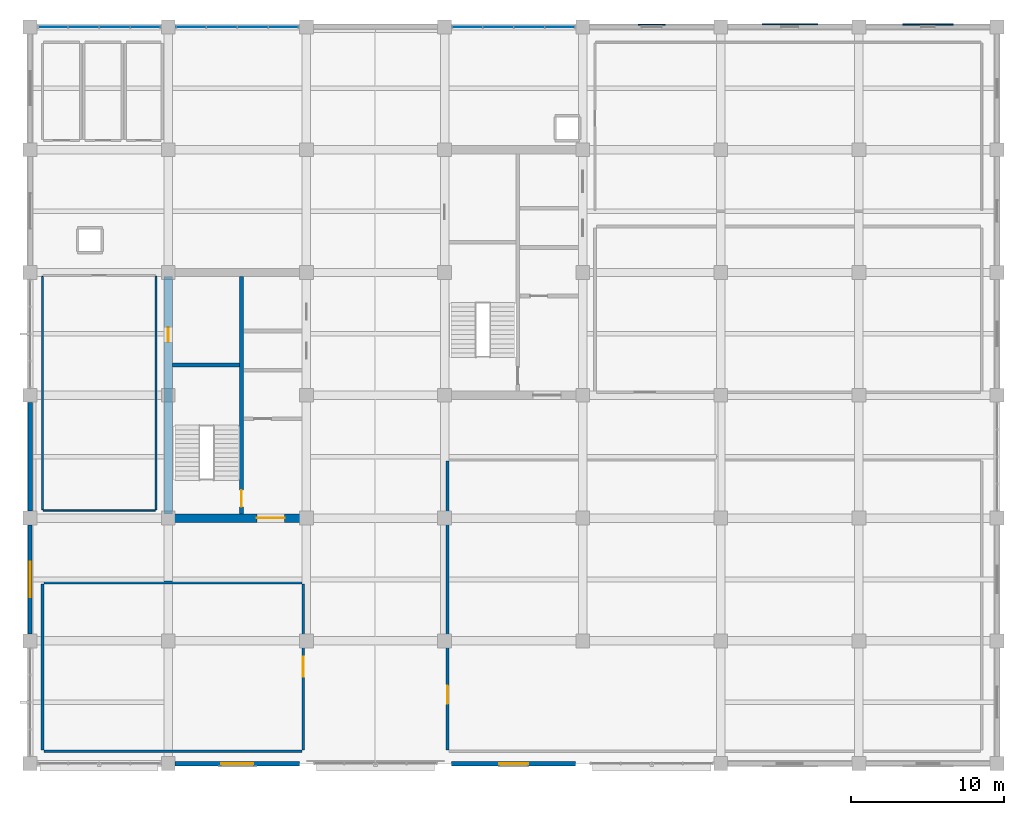
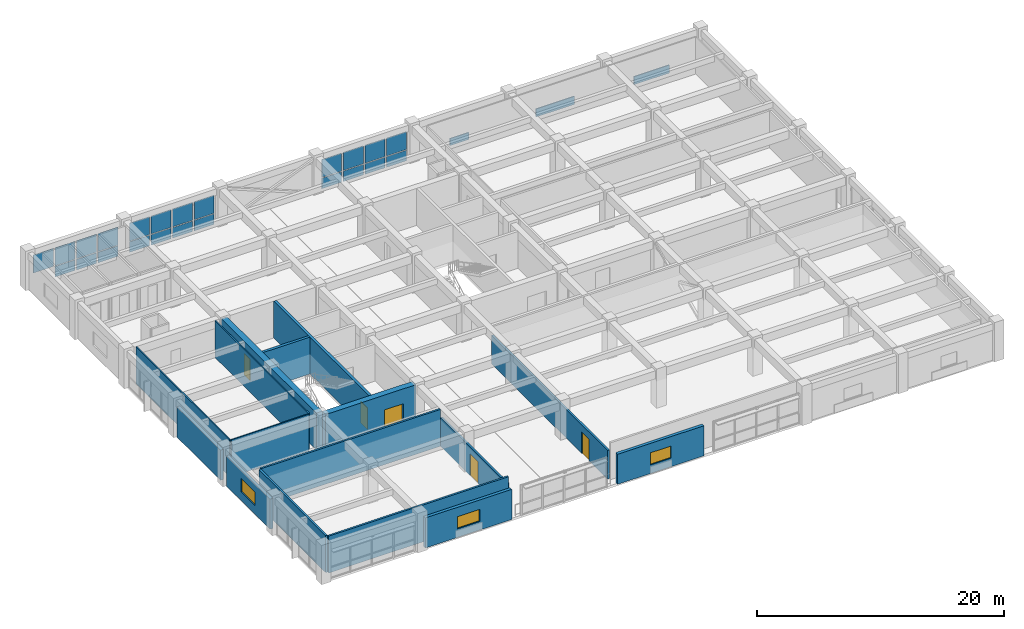
# One storey, part 12 of 16: 26 plates, 16 walls, 5 doors, 3 windows, 8 openings, 3 elements without a shape of their own.
"""IFC4 building model written with IfcOpenShell, lengths in metres."""

from ifc_helpers import new_model, si_unit, direction, frame, frame_2d, origin, place, context, subcontext, project, spatial, rectangle, extrude, material, layer, layer_set, type_object, element, fill, aggregate, save


model = new_model("IFC4")

# Units and contexts
model_context = context("Model", 3, precision=1e-05, world=origin(), true_north=direction((0.0, 1.0)))
body_context = subcontext(model_context, "Body", "Model", "MODEL_VIEW")
ifc_project = project(units=[si_unit("LENGTHUNIT", "METRE"), si_unit("AREAUNIT", "SQUARE_METRE"), si_unit("VOLUMEUNIT", "CUBIC_METRE"), si_unit("PLANEANGLEUNIT", "RADIAN"), si_unit("MASSUNIT", "GRAM", prefix="KILO")], contexts=[model_context])

# Site, building, storey
site_placement = place(None, origin())
site = spatial("IfcSite", under=ifc_project, at=site_placement, CompositionType="ELEMENT")
building_placement = place(site_placement, origin())
building = spatial("IfcBuilding", under=site, at=building_placement, Name="Zaverband Oceanarium and Marine Research Institute", CompositionType="ELEMENT")
storey_placement = place(building_placement, frame((0.0, 0.0, 29.699951171875)))
storey = spatial("IfcBuildingStorey", under=building, at=storey_placement, Name="L07", CompositionType="ELEMENT", Elevation=29.699951171875)

# Curtain wall, plates
ifc_material_1 = material(Name="Thermally broken anodized aluminium and solar-control glass", Category="aluminium")
curtain_wall_type = type_object("IfcCurtainWallType", Name="CW-UNIT-1800", PredefinedType="NOTDEFINED", material=ifc_material_1)
curtain_wall_1_placement = place(storey_placement, origin())
curtain_wall_1 = element("IfcCurtainWall", 1, at=curtain_wall_1_placement, inside=storey, type_object=curtain_wall_type, Name="Unitised glazed curtain wall CW-088", PredefinedType="NOTDEFINED")
ifc_material_2 = material(Name="Low-E double-glazed solar-control glass", Category="glass")
ifc_layer_1 = layer(ifc_material_2, 0.033935546875, Name="Low-E double-glazed solar-control glass")
ifc_layer_set_1 = layer_set([ifc_layer_1], Name="Low-E double-glazed solar-control glass")
plate_type_1 = type_object("IfcPlateType", Name="CWP-1820x1043", PredefinedType="CURTAIN_PANEL", material=ifc_layer_set_1)
plate_1_placement = place(storey_placement, frame((11.5576171875, 112.0, 0.050048828125), z_axis=(0.0, 0.0, 1.0), x_axis=(1.0, 0.0, 0.0)))
plate_1 = element("IfcPlate", 2, at=plate_1_placement, type_object=plate_type_1, Name="Glazed curtain wall panel CWP-1820x1043", PredefinedType="CURTAIN_PANEL", context=body_context, shape_type="SweptSolid", body=[
    extrude(rectangle(XDim=1.8623046875, YDim=0.033935546875, at=frame_2d((0.93115234375, 0.0))), origin(), (0.0, 0.0, 1.0), 1.04296875),
])
plate_2_placement = place(storey_placement, frame((13.580078125, 112.0, 0.050048828125), z_axis=(0.0, 0.0, 1.0), x_axis=(1.0, 0.0, 0.0)))
plate_2 = element("IfcPlate", 3, at=plate_2_placement, type_object=plate_type_1, Name="Glazed curtain wall panel CWP-1820x1043", PredefinedType="CURTAIN_PANEL", context=body_context, shape_type="SweptSolid", body=[
    extrude(rectangle(XDim=1.8623046875, YDim=0.033935546875, at=frame_2d((0.93115234375, 0.0))), origin(), (0.0, 0.0, 1.0), 1.04296875),
])
plate_3_placement = place(storey_placement, frame((15.6025390625, 112.0, 0.050048828125), z_axis=(0.0, 0.0, 1.0), x_axis=(1.0, 0.0, 0.0)))
plate_3 = element("IfcPlate", 4, at=plate_3_placement, type_object=plate_type_1, Name="Glazed curtain wall panel CWP-1820x1043", PredefinedType="CURTAIN_PANEL", context=body_context, shape_type="SweptSolid", body=[
    extrude(rectangle(XDim=1.862548828125, YDim=0.033935546875, at=frame_2d((0.93115234375, 0.0))), origin(), (0.0, 0.0, 1.0), 1.04296875),
])

curtain_wall_2_placement = place(storey_placement, origin())
curtain_wall_2 = element("IfcCurtainWall", 5, at=curtain_wall_2_placement, inside=storey, type_object=curtain_wall_type, Name="Unitised glazed curtain wall CW-089", PredefinedType="NOTDEFINED")
plate_4_placement = place(storey_placement, frame((18.534912109375, 112.0, 0.050048828125), z_axis=(0.0, 0.0, 1.0), x_axis=(1.0, 0.0, 0.0)))
plate_4 = element("IfcPlate", 6, at=plate_4_placement, type_object=plate_type_1, Name="Glazed curtain wall panel CWP-1820x1043", PredefinedType="CURTAIN_PANEL", context=body_context, shape_type="SweptSolid", body=[
    extrude(rectangle(XDim=1.862548828125, YDim=0.033935546875, at=frame_2d((0.93115234375, 0.0))), origin(), (0.0, 0.0, 1.0), 1.04296875),
])
plate_5_placement = place(storey_placement, frame((20.5576171875, 112.0, 0.050048828125), z_axis=(0.0, 0.0, 1.0), x_axis=(1.0, 0.0, 0.0)))
plate_5 = element("IfcPlate", 7, at=plate_5_placement, type_object=plate_type_1, Name="Glazed curtain wall panel CWP-1820x1043", PredefinedType="CURTAIN_PANEL", context=body_context, shape_type="SweptSolid", body=[
    extrude(rectangle(XDim=1.8623046875, YDim=0.033935546875, at=frame_2d((0.93115234375, 0.0))), origin(), (0.0, 0.0, 1.0), 1.04296875),
])
plate_6_placement = place(storey_placement, frame((22.580078125, 112.0, 0.050048828125), z_axis=(0.0, 0.0, 1.0), x_axis=(1.0, 0.0, 0.0)))
plate_6 = element("IfcPlate", 8, at=plate_6_placement, type_object=plate_type_1, Name="Glazed curtain wall panel CWP-1820x1043", PredefinedType="CURTAIN_PANEL", context=body_context, shape_type="SweptSolid", body=[
    extrude(rectangle(XDim=1.8623046875, YDim=0.033935546875, at=frame_2d((0.93115234375, 0.0))), origin(), (0.0, 0.0, 1.0), 1.04296875),
])
plate_7_placement = place(storey_placement, frame((24.6025390625, 112.0, 0.050048828125), z_axis=(0.0, 0.0, 1.0), x_axis=(1.0, 0.0, 0.0)))
plate_7 = element("IfcPlate", 9, at=plate_7_placement, type_object=plate_type_1, Name="Glazed curtain wall panel CWP-1820x1043", PredefinedType="CURTAIN_PANEL", context=body_context, shape_type="SweptSolid", body=[
    extrude(rectangle(XDim=1.862548828125, YDim=0.033935546875, at=frame_2d((0.93115234375, 0.0))), origin(), (0.0, 0.0, 1.0), 1.04296875),
])

curtain_wall_3_placement = place(storey_placement, origin())
curtain_wall_3 = element("IfcCurtainWall", 10, at=curtain_wall_3_placement, inside=storey, type_object=curtain_wall_type, Name="Unitised glazed curtain wall CW-090", PredefinedType="NOTDEFINED")
plate_8_placement = place(storey_placement, frame((36.534912109375, 112.0, 0.050048828125), z_axis=(0.0, 0.0, 1.0), x_axis=(1.0, 0.0, 0.0)))
plate_8 = element("IfcPlate", 11, at=plate_8_placement, type_object=plate_type_1, Name="Glazed curtain wall panel CWP-1820x1043", PredefinedType="CURTAIN_PANEL", context=body_context, shape_type="SweptSolid", body=[
    extrude(rectangle(XDim=1.862548828125, YDim=0.033935546875, at=frame_2d((0.93115234375, 0.0))), origin(), (0.0, 0.0, 1.0), 1.04296875),
])
plate_9_placement = place(storey_placement, frame((38.5576171875, 112.0, 0.050048828125), z_axis=(0.0, 0.0, 1.0), x_axis=(1.0, 0.0, 0.0)))
plate_9 = element("IfcPlate", 12, at=plate_9_placement, type_object=plate_type_1, Name="Glazed curtain wall panel CWP-1820x1043", PredefinedType="CURTAIN_PANEL", context=body_context, shape_type="SweptSolid", body=[
    extrude(rectangle(XDim=1.8623046875, YDim=0.033935546875, at=frame_2d((0.93115234375, 0.0))), origin(), (0.0, 0.0, 1.0), 1.04296875),
])
plate_10_placement = place(storey_placement, frame((40.580078125, 112.0, 0.050048828125), z_axis=(0.0, 0.0, 1.0), x_axis=(1.0, 0.0, 0.0)))
plate_10 = element("IfcPlate", 13, at=plate_10_placement, type_object=plate_type_1, Name="Glazed curtain wall panel CWP-1820x1043", PredefinedType="CURTAIN_PANEL", context=body_context, shape_type="SweptSolid", body=[
    extrude(rectangle(XDim=1.8623046875, YDim=0.033935546875, at=frame_2d((0.93115234375, 0.0))), origin(), (0.0, 0.0, 1.0), 1.04296875),
])
plate_11_placement = place(storey_placement, frame((42.6025390625, 112.0, 0.050048828125), z_axis=(0.0, 0.0, 1.0), x_axis=(1.0, 0.0, 0.0)))
plate_11 = element("IfcPlate", 14, at=plate_11_placement, type_object=plate_type_1, Name="Glazed curtain wall panel CWP-1820x1043", PredefinedType="CURTAIN_PANEL", context=body_context, shape_type="SweptSolid", body=[
    extrude(rectangle(XDim=1.862548828125, YDim=0.033935546875, at=frame_2d((0.93115234375, 0.0))), origin(), (0.0, 0.0, 1.0), 1.04296875),
])

# Plate
ifc_layer_2 = layer(ifc_material_2, 0.035888671875, Name="Low-E double-glazed solar-control glass")
ifc_layer_set_2 = layer_set([ifc_layer_2], Name="Low-E double-glazed solar-control glass")
plate_type_2 = type_object("IfcPlateType", Name="CWP-1820x1777", PredefinedType="CURTAIN_PANEL", material=ifc_layer_set_2)
plate_12_placement = place(storey_placement, frame((9.534912109375, 112.0, 1.1630859375), z_axis=(0.0, 0.0, 1.0), x_axis=(1.0, 0.0, 0.0)))
plate_12 = element("IfcPlate", 15, at=plate_12_placement, type_object=plate_type_2, Name="Glazed curtain wall panel CWP-1820x1777", PredefinedType="CURTAIN_PANEL", context=body_context, shape_type="SweptSolid", body=[
    extrude(rectangle(XDim=1.862548828125, YDim=0.035888671875, at=frame_2d((0.93115234375, 0.0))), origin(), (0.0, 0.0, 1.0), 1.77685546875),
])

plate_13_placement = place(storey_placement, frame((11.5576171875, 112.0, 1.1630859375), z_axis=(0.0, 0.0, 1.0), x_axis=(1.0, 0.0, 0.0)))
plate_13 = element("IfcPlate", 16, at=plate_13_placement, type_object=plate_type_2, Name="Glazed curtain wall panel CWP-1820x1777", PredefinedType="CURTAIN_PANEL", context=body_context, shape_type="SweptSolid", body=[
    extrude(rectangle(XDim=1.8623046875, YDim=0.035888671875, at=frame_2d((0.93115234375, 0.0))), origin(), (0.0, 0.0, 1.0), 1.77685546875),
])

plate_14_placement = place(storey_placement, frame((13.580078125, 112.0, 1.1630859375), z_axis=(0.0, 0.0, 1.0), x_axis=(1.0, 0.0, 0.0)))
plate_14 = element("IfcPlate", 17, at=plate_14_placement, type_object=plate_type_2, Name="Glazed curtain wall panel CWP-1820x1777", PredefinedType="CURTAIN_PANEL", context=body_context, shape_type="SweptSolid", body=[
    extrude(rectangle(XDim=1.8623046875, YDim=0.035888671875, at=frame_2d((0.93115234375, 0.0))), origin(), (0.0, 0.0, 1.0), 1.77685546875),
])

plate_15_placement = place(storey_placement, frame((15.6025390625, 112.0, 1.1630859375), z_axis=(0.0, 0.0, 1.0), x_axis=(1.0, 0.0, 0.0)))
plate_15 = element("IfcPlate", 18, at=plate_15_placement, type_object=plate_type_2, Name="Glazed curtain wall panel CWP-1820x1777", PredefinedType="CURTAIN_PANEL", context=body_context, shape_type="SweptSolid", body=[
    extrude(rectangle(XDim=1.862548828125, YDim=0.035888671875, at=frame_2d((0.93115234375, 0.0))), origin(), (0.0, 0.0, 1.0), 1.77685546875),
])

aggregate(curtain_wall_1, [plate_12, plate_1, plate_13, plate_2, plate_14, plate_3, plate_15])

plate_16_placement = place(storey_placement, frame((18.534912109375, 112.0, 1.1630859375), z_axis=(0.0, 0.0, 1.0), x_axis=(1.0, 0.0, 0.0)))
plate_16 = element("IfcPlate", 19, at=plate_16_placement, type_object=plate_type_2, Name="Glazed curtain wall panel CWP-1820x1777", PredefinedType="CURTAIN_PANEL", context=body_context, shape_type="SweptSolid", body=[
    extrude(rectangle(XDim=1.862548828125, YDim=0.035888671875, at=frame_2d((0.93115234375, 0.0))), origin(), (0.0, 0.0, 1.0), 1.77685546875),
])

plate_17_placement = place(storey_placement, frame((20.5576171875, 112.0, 1.1630859375), z_axis=(0.0, 0.0, 1.0), x_axis=(1.0, 0.0, 0.0)))
plate_17 = element("IfcPlate", 20, at=plate_17_placement, type_object=plate_type_2, Name="Glazed curtain wall panel CWP-1820x1777", PredefinedType="CURTAIN_PANEL", context=body_context, shape_type="SweptSolid", body=[
    extrude(rectangle(XDim=1.8623046875, YDim=0.035888671875, at=frame_2d((0.93115234375, 0.0))), origin(), (0.0, 0.0, 1.0), 1.77685546875),
])

plate_18_placement = place(storey_placement, frame((22.580078125, 112.0, 1.1630859375), z_axis=(0.0, 0.0, 1.0), x_axis=(1.0, 0.0, 0.0)))
plate_18 = element("IfcPlate", 21, at=plate_18_placement, type_object=plate_type_2, Name="Glazed curtain wall panel CWP-1820x1777", PredefinedType="CURTAIN_PANEL", context=body_context, shape_type="SweptSolid", body=[
    extrude(rectangle(XDim=1.8623046875, YDim=0.035888671875, at=frame_2d((0.93115234375, 0.0))), origin(), (0.0, 0.0, 1.0), 1.77685546875),
])

plate_19_placement = place(storey_placement, frame((24.6025390625, 112.0, 1.1630859375), z_axis=(0.0, 0.0, 1.0), x_axis=(1.0, 0.0, 0.0)))
plate_19 = element("IfcPlate", 22, at=plate_19_placement, type_object=plate_type_2, Name="Glazed curtain wall panel CWP-1820x1777", PredefinedType="CURTAIN_PANEL", context=body_context, shape_type="SweptSolid", body=[
    extrude(rectangle(XDim=1.862548828125, YDim=0.035888671875, at=frame_2d((0.93115234375, 0.0))), origin(), (0.0, 0.0, 1.0), 1.77685546875),
])

aggregate(curtain_wall_2, [plate_4, plate_16, plate_5, plate_17, plate_6, plate_18, plate_7, plate_19])

plate_20_placement = place(storey_placement, frame((36.534912109375, 112.0, 1.1630859375), z_axis=(0.0, 0.0, 1.0), x_axis=(1.0, 0.0, 0.0)))
plate_20 = element("IfcPlate", 23, at=plate_20_placement, type_object=plate_type_2, Name="Glazed curtain wall panel CWP-1820x1777", PredefinedType="CURTAIN_PANEL", context=body_context, shape_type="SweptSolid", body=[
    extrude(rectangle(XDim=1.862548828125, YDim=0.035888671875, at=frame_2d((0.93115234375, 0.0))), origin(), (0.0, 0.0, 1.0), 1.77685546875),
])

plate_21_placement = place(storey_placement, frame((38.5576171875, 112.0, 1.1630859375), z_axis=(0.0, 0.0, 1.0), x_axis=(1.0, 0.0, 0.0)))
plate_21 = element("IfcPlate", 24, at=plate_21_placement, type_object=plate_type_2, Name="Glazed curtain wall panel CWP-1820x1777", PredefinedType="CURTAIN_PANEL", context=body_context, shape_type="SweptSolid", body=[
    extrude(rectangle(XDim=1.8623046875, YDim=0.035888671875, at=frame_2d((0.93115234375, 0.0))), origin(), (0.0, 0.0, 1.0), 1.77685546875),
])

plate_22_placement = place(storey_placement, frame((40.580078125, 112.0, 1.1630859375), z_axis=(0.0, 0.0, 1.0), x_axis=(1.0, 0.0, 0.0)))
plate_22 = element("IfcPlate", 25, at=plate_22_placement, type_object=plate_type_2, Name="Glazed curtain wall panel CWP-1820x1777", PredefinedType="CURTAIN_PANEL", context=body_context, shape_type="SweptSolid", body=[
    extrude(rectangle(XDim=1.8623046875, YDim=0.035888671875, at=frame_2d((0.93115234375, 0.0))), origin(), (0.0, 0.0, 1.0), 1.77685546875),
])

plate_23_placement = place(storey_placement, frame((42.6025390625, 112.0, 1.1630859375), z_axis=(0.0, 0.0, 1.0), x_axis=(1.0, 0.0, 0.0)))
plate_23 = element("IfcPlate", 26, at=plate_23_placement, type_object=plate_type_2, Name="Glazed curtain wall panel CWP-1820x1777", PredefinedType="CURTAIN_PANEL", context=body_context, shape_type="SweptSolid", body=[
    extrude(rectangle(XDim=1.862548828125, YDim=0.035888671875, at=frame_2d((0.93115234375, 0.0))), origin(), (0.0, 0.0, 1.0), 1.77685546875),
])

aggregate(curtain_wall_3, [plate_8, plate_20, plate_9, plate_21, plate_10, plate_22, plate_11, plate_23])

# Plates
ifc_material_3 = material(Name="Concrete C40/50 precast ochre", Category="concrete")
ifc_layer_3 = layer(ifc_material_3, 0.070068359375, Name="Concrete C40/50 precast ochre")
ifc_layer_set_3 = layer_set([ifc_layer_3], Name="Concrete C40/50 precast ochre")
plate_type_3 = type_object("IfcPlateType", Name="FRP-1750x700", PredefinedType="USERDEFINED", material=ifc_layer_set_3)
plate_24_placement = place(storey_placement, frame((48.625, 112.152587890625, 0.0), z_axis=(0.0, 0.0, 1.0), x_axis=(1.0, 0.0, 0.0)))
element("IfcPlate", 27, at=plate_24_placement, inside=storey, type_object=plate_type_3, Name="Geometric precast facade cladding panel FRP-1750x700", ObjectType="FLANGE_PLATE", PredefinedType="USERDEFINED", context=body_context, shape_type="SweptSolid", body=[
    extrude(rectangle(XDim=1.75, YDim=0.070068359375, at=frame_2d((0.875, 0.0))), origin(), (0.0, 0.0, 1.0), 0.699951171875),
])
ifc_layer_4 = layer(ifc_material_3, 0.0849609375, Name="Concrete C40/50 precast ochre")
ifc_layer_set_4 = layer_set([ifc_layer_4], Name="Concrete C40/50 precast ochre")
plate_type_4 = type_object("IfcPlateType", Name="FRP-3300x800", PredefinedType="USERDEFINED", material=ifc_layer_set_4)
plate_25_placement = place(storey_placement, frame((65.85009765625, 112.159912109375, 0.0), z_axis=(0.0, 0.0, 1.0), x_axis=(1.0, 0.0, 0.0)))
element("IfcPlate", 28, at=plate_25_placement, inside=storey, type_object=plate_type_4, Name="Geometric precast facade cladding panel FRP-3300x800", ObjectType="FLANGE_PLATE", PredefinedType="USERDEFINED", context=body_context, shape_type="SweptSolid", body=[
    extrude(rectangle(XDim=3.2998046875, YDim=0.0849609375, at=frame_2d((1.64990234375, 0.0))), origin(), (0.0, 0.0, 1.0), 0.800048828125),
])
ifc_layer_5 = layer(ifc_material_3, 0.0849609375, Name="Concrete C40/50 precast ochre")
ifc_layer_set_5 = layer_set([ifc_layer_5], Name="Concrete C40/50 precast ochre")
plate_type_5 = type_object("IfcPlateType", Name="FRP-3600x800", PredefinedType="USERDEFINED", material=ifc_layer_set_5)
plate_26_placement = place(storey_placement, frame((56.699951171875, 112.172607421875, 0.0), z_axis=(0.0, 0.0, 1.0), x_axis=(1.0, 0.0, 0.0)))
element("IfcPlate", 29, at=plate_26_placement, inside=storey, type_object=plate_type_5, Name="Geometric precast facade cladding panel FRP-3600x800", ObjectType="FLANGE_PLATE", PredefinedType="USERDEFINED", context=body_context, shape_type="SweptSolid", body=[
    extrude(rectangle(XDim=3.60009765625, YDim=0.0849609375, at=frame_2d((1.800048828125, 0.0))), origin(), (0.0, 0.0, 1.0), 0.800048828125),
])

# Wall, opening, door
ifc_material_4 = material(Name="Concrete C50/60", Category="concrete")
ifc_layer_6 = layer(ifc_material_4, 0.550048828125, Name="Concrete C50/60")
ifc_layer_set_6 = layer_set([ifc_layer_6], Name="Concrete C50/60")
wall_type_1 = type_object("IfcWallType", Name="CW-01", PredefinedType="SHEAR", material=ifc_layer_set_6)
wall_1_placement = place(storey_placement, frame((18.27490234375, 80.0, 0.0), z_axis=(0.0, 0.0, 1.0), x_axis=(1.0, 0.0, 0.0)))
wall_1 = element("IfcWall", 30, at=wall_1_placement, inside=storey, type_object=wall_type_1, Name="Structural shear wall CW-01", PredefinedType="SHEAR", context=body_context, shape_type="SweptSolid", body=[
    extrude(rectangle(XDim=8.4501953125, YDim=0.550048828125, at=frame_2d((4.22509765625, 0.0))), origin(), (0.0, 0.0, 1.0), 3.650146484375),
])
opening_1_placement = place(wall_1_placement, frame((5.5, 0.0, 0.0)))
opening_1 = element("IfcOpeningElement", 31, at=opening_1_placement, cuts=wall_1, Name="Opening FD-02", PredefinedType="OPENING", context=body_context, shape_type="SweptSolid", body=[
    extrude(rectangle(XDim=1.800048828125, YDim=2.179931640625, at=frame_2d((0.89990234375, 1.08984375))), frame((0.0, 0.287109375, 0.0), z_axis=(0.0, -1.0, 0.0), x_axis=(1.0, 0.0, 0.0)), (0.0, 0.0, 1.0), 0.573974609375),
])
ifc_material_5 = material(Name="Steel S355", Category="steel")
door_type_1 = type_object("IfcDoorType", Name="FD-02", OperationType="DOUBLE_DOOR_SINGLE_SWING", PredefinedType="DOOR", material=ifc_material_5)
door_1_placement = place(opening_1_placement, origin())
door_1 = element("IfcDoor", 32, at=door_1_placement, inside=storey, type_object=door_type_1, Name="Protected lobby double fire door FD-02", OperationType="DOUBLE_DOOR_SINGLE_SWING", OverallHeight=2.179931640625, OverallWidth=1.800048828125, PredefinedType="DOOR", context=body_context, shape_type="SweptSolid", body=[
    extrude(rectangle(XDim=1.800048828125, YDim=2.179931640625, at=frame_2d((0.89990234375, 1.08984375))), frame((0.0, 0.02490234375, 0.0), z_axis=(0.0, -1.0, 0.0), x_axis=(1.0, 0.0, 0.0)), (0.0, 0.0, 1.0), 0.050048828125),
])
fill(opening_1, door_1)

wall_2_placement = place(storey_placement, frame((18.0, 80.27490234375, 0.0), z_axis=(0.0, 0.0, 1.0), x_axis=(0.0, 1.0, 0.0)))
wall_2 = element("IfcWall", 33, at=wall_2_placement, inside=storey, type_object=wall_type_1, Name="Structural shear wall CW-01", PredefinedType="SHEAR", context=body_context, shape_type="SweptSolid", body=[
    extrude(rectangle(XDim=15.4501953125, YDim=0.550048828125, at=frame_2d((7.72509765625, 0.0))), origin(), (0.0, 0.0, 1.0), 3.650146484375),
])
opening_2_placement = place(wall_2_placement, frame((11.199951171875, 0.0, 0.0)))
opening_2 = element("IfcOpeningElement", 34, at=opening_2_placement, cuts=wall_2, Name="Opening FD-03", PredefinedType="OPENING", context=body_context, shape_type="SweptSolid", body=[
    extrude(rectangle(XDim=0.949951171875, YDim=2.10009765625, at=frame_2d((0.47509765625, 1.050048828125))), frame((0.0, 0.287109375, 0.0), z_axis=(0.0, -1.0, 0.0), x_axis=(1.0, 0.0, 0.0)), (0.0, 0.0, 1.0), 0.573974609375),
])
door_type_2 = type_object("IfcDoorType", Name="FD-03", OperationType="NOTDEFINED", PredefinedType="DOOR", material=ifc_material_5)
door_2_placement = place(opening_2_placement, origin())
door_2 = element("IfcDoor", 35, at=door_2_placement, inside=storey, type_object=door_type_2, Name="Service riser access fire door FD-03", OperationType="SINGLE_SWING_RIGHT", OverallHeight=2.10009765625, OverallWidth=0.949951171875, PredefinedType="DOOR", context=body_context, shape_type="SweptSolid", body=[
    extrude(rectangle(XDim=0.949951171875, YDim=2.10009765625, at=frame_2d((0.47509765625, 1.050048828125))), frame((0.0, 0.02490234375, 0.0), z_axis=(0.0, -1.0, 0.0), x_axis=(1.0, 0.0, 0.0)), (0.0, 0.0, 1.0), 0.050048828125),
])
fill(opening_2, door_2)

# Wall, opening, window
ifc_material_6 = material(Name="Concrete C40/50 precast", Category="concrete")
ifc_layer_7 = layer(ifc_material_6, 0.264892578125, Name="Concrete C40/50 precast")
ifc_layer_set_7 = layer_set([ifc_layer_7], Name="Concrete C40/50 precast")
wall_type_2 = type_object("IfcWallType", Name="EW-265", PredefinedType="STANDARD", material=ifc_layer_set_7)
wall_3_placement = place(storey_placement, frame((9.0, 72.455078125, 0.0), z_axis=(0.0, 0.0, 1.0), x_axis=(0.0, 1.0, 0.0)))
wall_3 = element("IfcWall", 36, at=wall_3_placement, inside=storey, type_object=wall_type_2, Name="Exterior infill wall EW-265", PredefinedType="STANDARD", context=body_context, shape_type="SweptSolid", body=[
    extrude(rectangle(XDim=7.08984375, YDim=0.264892578125, at=frame_2d((3.544921875, 0.0))), origin(), (0.0, 0.0, 1.0), 2.97998046875),
])
opening_3_placement = place(wall_3_placement, frame((2.39501953125, 0.0, 0.85009765625)))
opening_3 = element("IfcOpeningElement", 37, at=opening_3_placement, cuts=wall_3, Name="Opening WN-2300x1350", PredefinedType="OPENING", context=body_context, shape_type="SweptSolid", body=[
    extrude(rectangle(XDim=2.300048828125, YDim=1.35009765625, at=frame_2d((1.14990234375, 0.675048828125))), frame((0.0, 0.14453125, 0.0), z_axis=(0.0, -1.0, 0.0), x_axis=(1.0, 0.0, 0.0)), (0.0, 0.0, 1.0), 0.288818359375),
])
window_type_1 = type_object("IfcWindowType", Name="WN-2300x1350", PartitioningType="SINGLE_PANEL", PredefinedType="WINDOW", material=ifc_material_1)
window_1_placement = place(opening_3_placement, origin())
window_1 = element("IfcWindow", 38, at=window_1_placement, inside=storey, type_object=window_type_1, Name="Fixed / casement exterior window WN-2300x1350", OverallHeight=1.35009765625, OverallWidth=2.300048828125, PartitioningType="SINGLE_PANEL", PredefinedType="WINDOW", context=body_context, shape_type="SweptSolid", body=[
    extrude(rectangle(XDim=2.300048828125, YDim=1.35009765625, at=frame_2d((1.14990234375, 0.675048828125))), frame((0.0, 0.030029296875, 0.0), z_axis=(0.0, -1.0, 0.0), x_axis=(1.0, 0.0, 0.0)), (0.0, 0.0, 1.0), 0.06005859375),
])
fill(opening_3, window_1)

ifc_layer_8 = layer(ifc_material_6, 0.2900390625, Name="Concrete C40/50 precast")
ifc_layer_set_8 = layer_set([ifc_layer_8], Name="Concrete C40/50 precast")
wall_type_3 = type_object("IfcWallType", Name="EW-290", PredefinedType="STANDARD", material=ifc_layer_set_8)
wall_4_placement = place(storey_placement, frame((18.455078125, 64.0, 0.0), z_axis=(0.0, 0.0, 1.0), x_axis=(1.0, 0.0, 0.0)))
wall_4 = element("IfcWall", 39, at=wall_4_placement, inside=storey, type_object=wall_type_3, Name="Exterior infill wall EW-290", PredefinedType="STANDARD", context=body_context, shape_type="SweptSolid", body=[
    extrude(rectangle(XDim=8.08984375, YDim=0.2900390625, at=frame_2d((4.044921875, 0.0))), origin(), (0.0, 0.0, 1.0), 2.97998046875),
])
opening_4_placement = place(wall_4_placement, frame((2.9951171875, 0.0, 0.85009765625)))
opening_4 = element("IfcOpeningElement", 40, at=opening_4_placement, cuts=wall_4, Name="Opening WN-2100x1200", PredefinedType="OPENING", context=body_context, shape_type="SweptSolid", body=[
    extrude(rectangle(XDim=2.10009765625, YDim=1.199951171875, at=frame_2d((1.050048828125, 0.60009765625))), frame((0.0, 0.156982421875, 0.0), z_axis=(0.0, -1.0, 0.0), x_axis=(1.0, 0.0, 0.0)), (0.0, 0.0, 1.0), 0.31396484375),
])
window_type_2 = type_object("IfcWindowType", Name="WN-2100x1200", PartitioningType="SINGLE_PANEL", PredefinedType="WINDOW", material=ifc_material_1)
window_2_placement = place(opening_4_placement, origin())
window_2 = element("IfcWindow", 41, at=window_2_placement, inside=storey, type_object=window_type_2, Name="Fixed / casement exterior window WN-2100x1200", OverallHeight=1.199951171875, OverallWidth=2.10009765625, PartitioningType="SINGLE_PANEL", PredefinedType="WINDOW", context=body_context, shape_type="SweptSolid", body=[
    extrude(rectangle(XDim=2.10009765625, YDim=1.199951171875, at=frame_2d((1.050048828125, 0.60009765625))), frame((0.0, 0.030029296875, 0.0), z_axis=(0.0, -1.0, 0.0), x_axis=(1.0, 0.0, 0.0)), (0.0, 0.0, 1.0), 0.06005859375),
])
fill(opening_4, window_2)

wall_5_placement = place(storey_placement, frame((36.455078125, 64.0, 0.0), z_axis=(0.0, 0.0, 1.0), x_axis=(1.0, 0.0, 0.0)))
wall_5 = element("IfcWall", 42, at=wall_5_placement, inside=storey, type_object=wall_type_3, Name="Exterior infill wall EW-290", PredefinedType="STANDARD", context=body_context, shape_type="SweptSolid", body=[
    extrude(rectangle(XDim=8.08984375, YDim=0.2900390625, at=frame_2d((4.044921875, 0.0))), origin(), (0.0, 0.0, 1.0), 2.97998046875),
])
opening_5_placement = place(wall_5_placement, frame((3.094970703125, 0.0, 0.85009765625)))
opening_5 = element("IfcOpeningElement", 43, at=opening_5_placement, cuts=wall_5, Name="Opening WN-1900x1200", PredefinedType="OPENING", context=body_context, shape_type="SweptSolid", body=[
    extrude(rectangle(XDim=1.89990234375, YDim=1.199951171875, at=frame_2d((0.949951171875, 0.60009765625))), frame((0.0, 0.156982421875, 0.0), z_axis=(0.0, -1.0, 0.0), x_axis=(1.0, 0.0, 0.0)), (0.0, 0.0, 1.0), 0.31396484375),
])
window_type_3 = type_object("IfcWindowType", Name="WN-1900x1200", PartitioningType="SINGLE_PANEL", PredefinedType="WINDOW", material=ifc_material_1)
window_3_placement = place(opening_5_placement, origin())
window_3 = element("IfcWindow", 44, at=window_3_placement, inside=storey, type_object=window_type_3, Name="Fixed / casement exterior window WN-1900x1200", OverallHeight=1.199951171875, OverallWidth=1.89990234375, PartitioningType="SINGLE_PANEL", PredefinedType="WINDOW", context=body_context, shape_type="SweptSolid", body=[
    extrude(rectangle(XDim=1.89990234375, YDim=1.199951171875, at=frame_2d((0.949951171875, 0.60009765625))), frame((0.0, 0.030029296875, 0.0), z_axis=(0.0, -1.0, 0.0), x_axis=(1.0, 0.0, 0.0)), (0.0, 0.0, 1.0), 0.06005859375),
])
fill(opening_5, window_3)

# Walls
wall_6_placement = place(storey_placement, frame((9.0, 80.455078125, 0.0), z_axis=(0.0, 0.0, 1.0), x_axis=(0.0, 1.0, 0.0)))
element("IfcWall", 45, at=wall_6_placement, inside=storey, type_object=wall_type_3, Name="Exterior infill wall EW-290", PredefinedType="STANDARD", context=body_context, shape_type="SweptSolid", body=[
    extrude(rectangle(XDim=7.08984375, YDim=0.2900390625, at=frame_2d((3.544921875, 0.0))), origin(), (0.0, 0.0, 1.0), 2.97998046875),
])
ifc_material_7 = material(Name="Store room fire-lined stud partition")
ifc_layer_9 = layer(ifc_material_7, 0.110107421875, Name="Store room fire-lined stud partition")
ifc_layer_set_9 = layer_set([ifc_layer_9], Name="Store room fire-lined stud partition")
wall_type_4 = type_object("IfcWallType", Name="PT-110-ST", PredefinedType="PARTITIONING", material=ifc_layer_set_9)
wall_7_placement = place(storey_placement, frame((9.85498046875, 80.5, 0.0), z_axis=(0.0, 0.0, 1.0), x_axis=(1.0, 0.0, 0.0)))
element("IfcWall", 46, at=wall_7_placement, inside=storey, type_object=wall_type_4, Name="Internal partition PT-110-ST", PredefinedType="PARTITIONING", context=body_context, shape_type="SweptSolid", body=[
    extrude(rectangle(XDim=7.2900390625, YDim=0.110107421875, at=frame_2d((3.64501953125, 0.0))), origin(), (0.0, 0.0, 1.0), 3.650146484375),
])
for number, where, z_axis, x_axis, name in (
    (47, (9.800048828125, 80.554931640625, 0.0), (0.0, 0.0, 1.0), (0.0, 1.0, 0.0), "Internal partition PT-110-ST"),
    (48, (17.199951171875, 80.554931640625, 0.0), (0.0, 0.0, 1.0), (0.0, 1.0, 0.0), "Internal partition PT-110-ST"),
):
    element("IfcWall", number, at=place(storey_placement, frame(where, z_axis=z_axis, x_axis=x_axis)), inside=storey, type_object=wall_type_4, Name=name, PredefinedType="PARTITIONING", context=body_context, shape_type="SweptSolid", body=[
        extrude(rectangle(XDim=15.190185546875, YDim=0.110107421875, at=frame_2d((7.59521484375, 0.0))), origin(), (0.0, 0.0, 1.0), 3.650146484375),
    ])
ifc_material_8 = material(Name="Moisture-resistant laboratory blockwork", Category="masonry")
ifc_layer_10 = layer(ifc_material_8, 0.179931640625, Name="Moisture-resistant laboratory blockwork")
ifc_layer_set_10 = layer_set([ifc_layer_10], Name="Moisture-resistant laboratory blockwork")
wall_type_5 = type_object("IfcWallType", Name="PT-180-LB", PredefinedType="PARTITIONING", material=ifc_layer_set_10)
for number, where, z_axis, x_axis, name in (
    (49, (9.889892578125, 64.800048828125, 0.0), (0.0, 0.0, 1.0), (1.0, 0.0, 0.0), "Internal partition PT-180-LB"),
    (50, (9.889892578125, 75.800048828125, 0.0), (0.0, 0.0, 1.0), (1.0, 0.0, 0.0), "Internal partition PT-180-LB"),
):
    element("IfcWall", number, at=place(storey_placement, frame(where, z_axis=z_axis, x_axis=x_axis)), inside=storey, type_object=wall_type_5, Name=name, PredefinedType="PARTITIONING", context=body_context, shape_type="SweptSolid", body=[
        extrude(rectangle(XDim=16.820068359375, YDim=0.179931640625, at=frame_2d((8.41015625, 0.0))), origin(), (0.0, 0.0, 1.0), 3.650146484375),
    ])
wall_8_placement = place(storey_placement, frame((9.800048828125, 64.889892578125, 0.0), z_axis=(0.0, 0.0, 1.0), x_axis=(0.0, 1.0, 0.0)))
element("IfcWall", 51, at=wall_8_placement, inside=storey, type_object=wall_type_5, Name="Internal partition PT-180-LB", PredefinedType="PARTITIONING", context=body_context, shape_type="SweptSolid", body=[
    extrude(rectangle(XDim=10.820068359375, YDim=0.179931640625, at=frame_2d((5.41015625, 0.0))), origin(), (0.0, 0.0, 1.0), 3.650146484375),
])

# Wall, opening, door
wall_9_placement = place(storey_placement, frame((26.800048828125, 64.889892578125, 0.0), z_axis=(0.0, 0.0, 1.0), x_axis=(0.0, 1.0, 0.0)))
wall_9 = element("IfcWall", 52, at=wall_9_placement, inside=storey, type_object=wall_type_5, Name="Internal partition PT-180-LB", PredefinedType="PARTITIONING", context=body_context, shape_type="SweptSolid", body=[
    extrude(rectangle(XDim=10.820068359375, YDim=0.179931640625, at=frame_2d((5.41015625, 0.0))), origin(), (0.0, 0.0, 1.0), 2.85009765625),
])
opening_6_placement = place(wall_9_placement, frame((4.760009765625, 0.0, 0.0)))
opening_6 = element("IfcOpeningElement", 53, at=opening_6_placement, cuts=wall_9, Name="Opening ID-1300x2140", PredefinedType="OPENING", context=body_context, shape_type="SweptSolid", body=[
    extrude(rectangle(XDim=1.300048828125, YDim=2.139892578125, at=frame_2d((0.64990234375, 1.06982421875))), frame((0.0, 0.10205078125, 0.0), z_axis=(0.0, -1.0, 0.0), x_axis=(1.0, 0.0, 0.0)), (0.0, 0.0, 1.0), 0.203857421875),
])
ifc_material_9 = material(Name="Hardwood-veneered acoustic timber", Category="wood")
door_type_3 = type_object("IfcDoorType", Name="ID-1300x2140", OperationType="NOTDEFINED", PredefinedType="DOOR", material=ifc_material_9)
door_3_placement = place(opening_6_placement, origin())
door_3 = element("IfcDoor", 54, at=door_3_placement, inside=storey, type_object=door_type_3, Name="Genomics laboratory door ID-1300x2140", OperationType="SINGLE_SWING_LEFT", OverallHeight=2.139892578125, OverallWidth=1.300048828125, PredefinedType="DOOR", context=body_context, shape_type="SweptSolid", body=[
    extrude(rectangle(XDim=1.300048828125, YDim=2.139892578125, at=frame_2d((0.64990234375, 1.06982421875))), frame((0.0, 0.02490234375, 0.0), z_axis=(0.0, -1.0, 0.0), x_axis=(1.0, 0.0, 0.0)), (0.0, 0.0, 1.0), 0.050048828125),
])
fill(opening_6, door_3)

wall_10_placement = place(storey_placement, frame((36.199951171875, 64.889892578125, 0.0), z_axis=(0.0, 0.0, 1.0), x_axis=(0.0, 1.0, 0.0)))
wall_10 = element("IfcWall", 55, at=wall_10_placement, inside=storey, type_object=wall_type_5, Name="Internal partition PT-180-LB", PredefinedType="PARTITIONING", context=body_context, shape_type="SweptSolid", body=[
    extrude(rectangle(XDim=18.820068359375, YDim=0.179931640625, at=frame_2d((9.41015625, 0.0))), origin(), (0.0, 0.0, 1.0), 2.85009765625),
])
opening_7_placement = place(wall_10_placement, frame((3.0, 0.0, 0.0)))
opening_7 = element("IfcOpeningElement", 56, at=opening_7_placement, cuts=wall_10, Name="Opening ID-1200x2120", PredefinedType="OPENING", context=body_context, shape_type="SweptSolid", body=[
    extrude(rectangle(XDim=1.199951171875, YDim=2.1201171875, at=frame_2d((0.60009765625, 1.06005859375))), frame((0.0, 0.10205078125, 0.0), z_axis=(0.0, -1.0, 0.0), x_axis=(1.0, 0.0, 0.0)), (0.0, 0.0, 1.0), 0.203857421875),
])
door_type_4 = type_object("IfcDoorType", Name="ID-1200x2120", OperationType="NOTDEFINED", PredefinedType="DOOR", material=ifc_material_9)
door_4_placement = place(opening_7_placement, origin())
door_4 = element("IfcDoor", 57, at=door_4_placement, inside=storey, type_object=door_type_4, Name="Discovery workshop door ID-1200x2120", OperationType="SINGLE_SWING_RIGHT", OverallHeight=2.1201171875, OverallWidth=1.199951171875, PredefinedType="DOOR", context=body_context, shape_type="SweptSolid", body=[
    extrude(rectangle(XDim=1.199951171875, YDim=2.1201171875, at=frame_2d((0.60009765625, 1.06005859375))), frame((0.0, 0.02490234375, 0.0), z_axis=(0.0, -1.0, 0.0), x_axis=(1.0, 0.0, 0.0)), (0.0, 0.0, 1.0), 0.050048828125),
])
fill(opening_7, door_4)

ifc_layer_11 = layer(ifc_material_4, 0.25, Name="Concrete C50/60")
ifc_layer_set_11 = layer_set([ifc_layer_11], Name="Concrete C50/60")
wall_type_6 = type_object("IfcWallType", Name="PW-CORE-250", PredefinedType="SOLIDWALL", material=ifc_layer_set_11)
wall_11_placement = place(storey_placement, frame((22.77490234375, 80.27490234375, 0.0), z_axis=(0.0, 0.0, 1.0), x_axis=(0.0, 1.0, 0.0)))
wall_11 = element("IfcWall", 58, at=wall_11_placement, inside=storey, type_object=wall_type_6, Name="Structural concrete wall PW-CORE-250", PredefinedType="SOLIDWALL", context=body_context, shape_type="SweptSolid", body=[
    extrude(rectangle(XDim=15.4501953125, YDim=0.25, at=frame_2d((7.72509765625, 0.0))), origin(), (0.0, 0.0, 1.0), 3.650146484375),
])
opening_8_placement = place(wall_11_placement, frame((0.449951171875, 0.0, 0.0)))
opening_8 = element("IfcOpeningElement", 59, at=opening_8_placement, cuts=wall_11, Name="Opening FD-01", PredefinedType="OPENING", context=body_context, shape_type="SweptSolid", body=[
    extrude(rectangle(XDim=1.10009765625, YDim=2.14990234375, at=frame_2d((0.550048828125, 1.074951171875))), frame((0.0, 0.136962890625, 0.0), z_axis=(0.0, -1.0, 0.0), x_axis=(1.0, 0.0, 0.0)), (0.0, 0.0, 1.0), 0.27392578125),
])
door_type_5 = type_object("IfcDoorType", Name="FD-01", OperationType="NOTDEFINED", PredefinedType="DOOR", material=ifc_material_5)
door_5_placement = place(opening_8_placement, origin())
door_5 = element("IfcDoor", 60, at=door_5_placement, inside=storey, type_object=door_type_5, Name="Core stair / lobby fire door FD-01", OperationType="SINGLE_SWING_RIGHT", OverallHeight=2.14990234375, OverallWidth=1.10009765625, PredefinedType="DOOR", context=body_context, shape_type="SweptSolid", body=[
    extrude(rectangle(XDim=1.10009765625, YDim=2.14990234375, at=frame_2d((0.550048828125, 1.074951171875))), frame((0.0, 0.02490234375, 0.0), z_axis=(0.0, -1.0, 0.0), x_axis=(1.0, 0.0, 0.0)), (0.0, 0.0, 1.0), 0.050048828125),
])
fill(opening_8, door_5)

# Wall
wall_12_placement = place(storey_placement, frame((18.27490234375, 89.97509765625, 0.0), z_axis=(0.0, 0.0, 1.0), x_axis=(1.0, 0.0, 0.0)))
element("IfcWall", 61, at=wall_12_placement, inside=storey, type_object=wall_type_6, Name="Structural concrete wall PW-CORE-250", PredefinedType="SOLIDWALL", context=body_context, shape_type="SweptSolid", body=[
    extrude(rectangle(XDim=4.3701171875, YDim=0.25, at=frame_2d((2.18505859375, 0.0))), origin(), (0.0, 0.0, 1.0), 3.650146484375),
])

save(model, "model.ifc")
